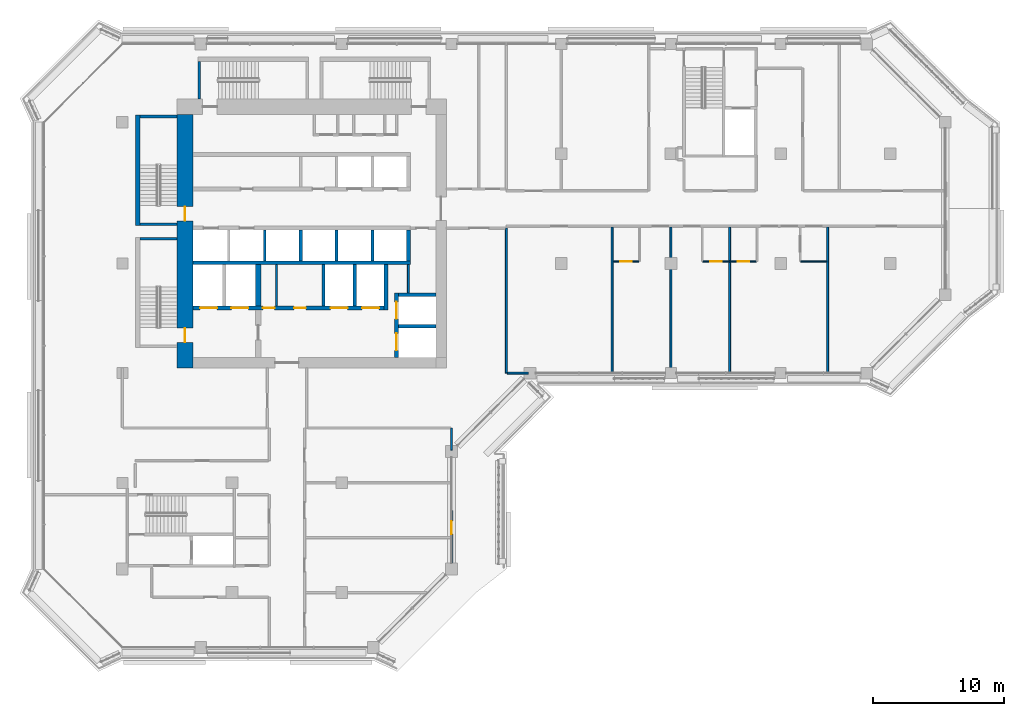
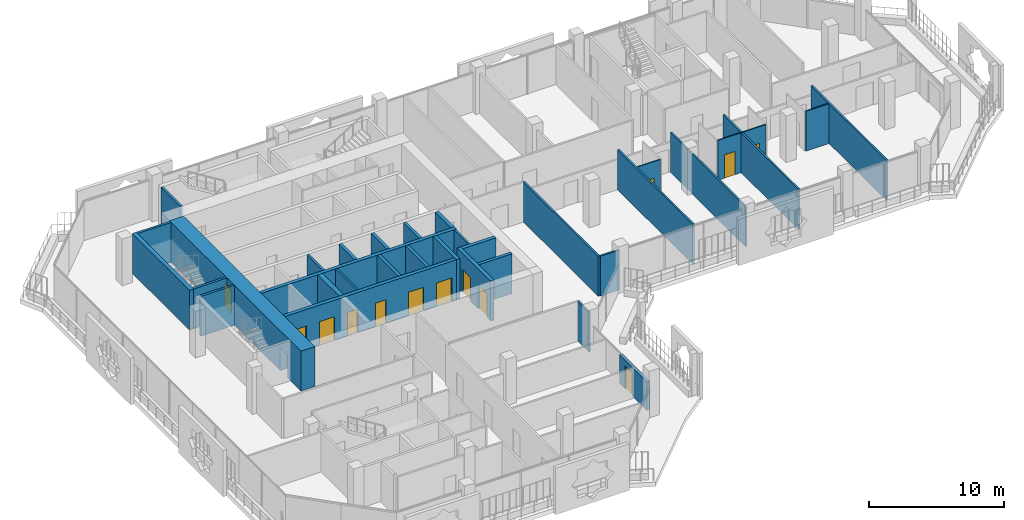
# One storey, part 11 of 22: 33 walls, 14 doors, 14 openings.
"""IFC4 building model written with IfcOpenShell, lengths in metres."""

from ifc_helpers import new_model, si_unit, direction, frame, frame_2d, origin, place, context, subcontext, project, spatial, rectangle, extrude, material, layer, layer_set, type_object, element, fill, save


model = new_model("IFC4")

# Units and contexts
model_context = context("Model", 3, precision=1e-05, world=origin(), true_north=direction((0.0, 1.0)))
body_context = subcontext(model_context, "Body", "Model", "MODEL_VIEW")
ifc_project = project(units=[si_unit("LENGTHUNIT", "METRE"), si_unit("AREAUNIT", "SQUARE_METRE"), si_unit("VOLUMEUNIT", "CUBIC_METRE"), si_unit("PLANEANGLEUNIT", "RADIAN"), si_unit("MASSUNIT", "GRAM", prefix="KILO")], contexts=[model_context])

# Site, building, storey
site_placement = place(None, origin())
site = spatial("IfcSite", under=ifc_project, at=site_placement, CompositionType="ELEMENT")
building_placement = place(site_placement, origin())
building = spatial("IfcBuilding", under=site, at=building_placement, Name="Kawkab Arch Medical Tower", CompositionType="ELEMENT")
storey_placement = place(building_placement, frame((0.0, 0.0, 255.800048828125)))
storey = spatial("IfcBuildingStorey", under=building, at=storey_placement, Name="L59", CompositionType="ELEMENT", Elevation=255.800048828125)

# Wall, openings, doors
ifc_material_1 = material(Name="Concrete C50/60", Category="concrete")
ifc_layer_1 = layer(ifc_material_1, 1.199951171875)
ifc_layer_set_1 = layer_set([ifc_layer_1], Name="Concrete C50/60")
wall_type_1 = type_object("IfcWallType", Name="Core ring wall 1200 C50/60", PredefinedType="SHEAR", material=ifc_layer_set_1)
wall_1_placement = place(storey_placement, frame((4.800048828125, -24.800048828125, 0.0), z_axis=(0.0, 0.0, 1.0), x_axis=(0.0, 1.0, 0.0)))
wall_1 = element("IfcWall", 1, at=wall_1_placement, inside=storey, type_object=wall_type_1, Name="L59 core wall", PredefinedType="SHEAR", context=body_context, shape_type="SweptSolid", body=[
    extrude(rectangle(XDim=19.400146484375, YDim=1.199951171875, at=frame_2d((9.7001953125, 0.0))), origin(), (0.0, 0.0, 1.0), 3.599853515625),
])
opening_1_placement = place(wall_1_placement, frame((11.25, 0.0, 0.0)))
opening_1 = element("IfcOpeningElement", 2, at=opening_1_placement, cuts=wall_1, Name="Opening SD", PredefinedType="OPENING", context=body_context, shape_type="SweptSolid", body=[
    extrude(rectangle(XDim=1.10009765625, YDim=2.10009765625, at=frame_2d((0.550048828125, 1.050048828125))), frame((0.0, 0.60986328125, 0.0), z_axis=(0.0, -1.0, 0.0), x_axis=(1.0, 0.0, 0.0)), (0.0, 0.0, 1.0), 1.219970703125),
])
opening_2_placement = place(wall_1_placement, frame((1.949951171875, 0.0, 0.0)))
opening_2 = element("IfcOpeningElement", 3, at=opening_2_placement, cuts=wall_1, Name="Opening SD", PredefinedType="OPENING", context=body_context, shape_type="SweptSolid", body=[
    extrude(rectangle(XDim=1.10009765625, YDim=2.10009765625, at=frame_2d((0.550048828125, 1.050048828125))), frame((0.0, 0.60986328125, 0.0), z_axis=(0.0, -1.0, 0.0), x_axis=(1.0, 0.0, 0.0)), (0.0, 0.0, 1.0), 1.219970703125),
])
ifc_material_2 = material(Name="Hollow metal fire door leaf")
door_type_1 = type_object("IfcDoorType", Name="Exit stair door 1100", OperationType="SINGLE_SWING_LEFT", PredefinedType="DOOR", material=ifc_material_2)
door_1_placement = place(opening_1_placement, origin())
door_1 = element("IfcDoor", 4, at=door_1_placement, inside=storey, type_object=door_type_1, Name="L59 Exit stair ST1 door", OperationType="SINGLE_SWING_LEFT", OverallHeight=2.10009765625, OverallWidth=1.10009765625, PredefinedType="DOOR", context=body_context, shape_type="SweptSolid", body=[
    extrude(rectangle(XDim=1.10009765625, YDim=2.10009765625, at=frame_2d((0.550048828125, 1.050048828125))), frame((0.0, 0.02490234375, 0.0), z_axis=(0.0, -1.0, 0.0), x_axis=(1.0, 0.0, 0.0)), (0.0, 0.0, 1.0), 0.050048828125),
])
fill(opening_1, door_1)
door_2_placement = place(opening_2_placement, origin())
door_2 = element("IfcDoor", 5, at=door_2_placement, inside=storey, type_object=door_type_1, Name="L59 Exit stair ST2 door", OperationType="SINGLE_SWING_LEFT", OverallHeight=2.10009765625, OverallWidth=1.10009765625, PredefinedType="DOOR", context=body_context, shape_type="SweptSolid", body=[
    extrude(rectangle(XDim=1.10009765625, YDim=2.10009765625, at=frame_2d((0.550048828125, 1.050048828125))), frame((0.0, 0.02490234375, 0.0), z_axis=(0.0, -1.0, 0.0), x_axis=(1.0, 0.0, 0.0)), (0.0, 0.0, 1.0), 0.050048828125),
])
fill(opening_2, door_2)

# Walls
ifc_material_3 = material(Name="Gypsum board on steel studs", Category="steel")
ifc_layer_2 = layer(ifc_material_3, 0.14990234375)
ifc_layer_set_2 = layer_set([ifc_layer_2], Name="Gypsum board on steel studs")
wall_type_2 = type_object("IfcWallType", Name="Core room partition 150", PredefinedType="PARTITIONING", material=ifc_layer_set_2)
wall_2_placement = place(storey_placement, frame((21.89990234375, -19.050048828125, 0.0), z_axis=(0.0, 0.0, 1.0), x_axis=(0.0, 1.0, 0.0)))
element("IfcWall", 6, at=wall_2_placement, inside=storey, type_object=wall_type_2, Name="L59 core room partition", PredefinedType="PARTITIONING", context=body_context, shape_type="SweptSolid", body=[
    extrude(rectangle(XDim=2.150146484375, YDim=0.14990234375, at=frame_2d((1.0751953125, 0.0))), origin(), (0.0, 0.0, 1.0), 3.599853515625),
])
wall_3_placement = place(storey_placement, frame((11.800048828125, -20.050048828125, 0.0), z_axis=(0.0, 0.0, 1.0), x_axis=(0.0, 1.0, 0.0)))
element("IfcWall", 7, at=wall_3_placement, inside=storey, type_object=wall_type_2, Name="L59 core room partition", PredefinedType="PARTITIONING", context=body_context, shape_type="SweptSolid", body=[
    extrude(rectangle(XDim=3.150146484375, YDim=0.14990234375, at=frame_2d((1.5751953125, 0.0))), origin(), (0.0, 0.0, 1.0), 3.599853515625),
])
ifc_material_4 = material(Name="Concrete C60/75", Category="concrete")
ifc_layer_3 = layer(ifc_material_4, 0.25)
ifc_layer_set_3 = layer_set([ifc_layer_3], Name="Concrete C60/75")
wall_type_3 = type_object("IfcWallType", Name="Core shear wall 250 C60/75", PredefinedType="SHEAR", material=ifc_layer_set_3)
wall_4_placement = place(storey_placement, frame((21.14990234375, -21.60009765625, 0.0), z_axis=(0.0, 0.0, 1.0), x_axis=(1.0, 0.0, 0.0)))
element("IfcWall", 8, at=wall_4_placement, inside=storey, type_object=wall_type_3, Name="L59 core shear wall", PredefinedType="SHEAR", context=body_context, shape_type="SweptSolid", body=[
    extrude(rectangle(XDim=2.85009765625, YDim=0.25, at=frame_2d((1.425048828125, 0.0))), origin(), (0.0, 0.0, 1.0), 3.599853515625),
])
for number, where, z_axis, x_axis, name in (
    (9, (15.39990234375, -20.050048828125, 0.0), (0.0, 0.0, 1.0), (0.0, 1.0, 0.0), "L59 core shear wall"),
    (10, (17.800048828125, -20.050048828125, 0.0), (0.0, 0.0, 1.0), (0.0, 1.0, 0.0), "L59 core shear wall"),
):
    element("IfcWall", number, at=place(storey_placement, frame(where, z_axis=z_axis, x_axis=x_axis)), inside=storey, type_object=wall_type_3, Name=name, PredefinedType="SHEAR", context=body_context, shape_type="SweptSolid", body=[
        extrude(rectangle(XDim=3.150146484375, YDim=0.25, at=frame_2d((1.5751953125, 0.0))), origin(), (0.0, 0.0, 1.0), 3.599853515625),
    ])
for number, where, z_axis, x_axis, name in (
    (11, (13.64990234375, -16.60009765625, 0.0), (0.0, 0.0, 1.0), (0.0, 1.0, 0.0), "L59 core shear wall"),
    (12, (16.39990234375, -16.60009765625, 0.0), (0.0, 0.0, 1.0), (0.0, 1.0, 0.0), "L59 core shear wall"),
    (13, (19.14990234375, -16.60009765625, 0.0), (0.0, 0.0, 1.0), (0.0, 1.0, 0.0), "L59 core shear wall"),
):
    element("IfcWall", number, at=place(storey_placement, frame(where, z_axis=z_axis, x_axis=x_axis)), inside=storey, type_object=wall_type_3, Name=name, PredefinedType="SHEAR", context=body_context, shape_type="SweptSolid", body=[
        extrude(rectangle(XDim=2.35009765625, YDim=0.25, at=frame_2d((1.175048828125, 0.0))), origin(), (0.0, 0.0, 1.0), 3.599853515625),
    ])
ifc_material_5 = material(Name="Concrete C60/75", Category="concrete")
ifc_layer_4 = layer(ifc_material_5, 0.300048828125)
ifc_layer_set_4 = layer_set([ifc_layer_4], Name="Concrete C60/75")
wall_type_4 = type_object("IfcWallType", Name="Core shear wall 300 C60/75", PredefinedType="SHEAR", material=ifc_layer_set_4)
wall_5_placement = place(storey_placement, frame((5.39990234375, -16.75, 0.0), z_axis=(0.0, 0.0, 1.0), x_axis=(1.0, 0.0, 0.0)))
element("IfcWall", 14, at=wall_5_placement, inside=storey, type_object=wall_type_4, Name="L59 core shear wall", PredefinedType="SHEAR", context=body_context, shape_type="SweptSolid", body=[
    extrude(rectangle(XDim=16.650146484375, YDim=0.300048828125, at=frame_2d((8.3251953125, 0.0))), origin(), (0.0, 0.0, 1.0), 3.599853515625),
])

# Wall, openings, doors
wall_6_placement = place(storey_placement, frame((5.39990234375, -20.199951171875, 0.0), z_axis=(0.0, 0.0, 1.0), x_axis=(1.0, 0.0, 0.0)))
wall_6 = element("IfcWall", 15, at=wall_6_placement, inside=storey, type_object=wall_type_4, Name="L59 core shear wall", PredefinedType="SHEAR", context=body_context, shape_type="SweptSolid", body=[
    extrude(rectangle(XDim=14.650146484375, YDim=0.300048828125, at=frame_2d((7.3251953125, 0.0))), origin(), (0.0, 0.0, 1.0), 3.599853515625),
])
opening_3_placement = place(wall_6_placement, frame((10.550048828125, 0.0, 0.0)))
opening_3 = element("IfcOpeningElement", 16, at=opening_3_placement, cuts=wall_6, Name="Opening LD2", PredefinedType="OPENING", context=body_context, shape_type="SweptSolid", body=[
    extrude(rectangle(XDim=1.300048828125, YDim=2.10009765625, at=frame_2d((0.64990234375, 1.050048828125))), frame((0.0, 0.159912109375, 0.0), z_axis=(0.0, -1.0, 0.0), x_axis=(1.0, 0.0, 0.0)), (0.0, 0.0, 1.0), 0.320068359375),
])
opening_4_placement = place(wall_6_placement, frame((12.949951171875, 0.0, 0.0)))
opening_4 = element("IfcOpeningElement", 17, at=opening_4_placement, cuts=wall_6, Name="Opening LD2", PredefinedType="OPENING", context=body_context, shape_type="SweptSolid", body=[
    extrude(rectangle(XDim=1.300048828125, YDim=2.10009765625, at=frame_2d((0.64990234375, 1.050048828125))), frame((0.0, 0.159912109375, 0.0), z_axis=(0.0, -1.0, 0.0), x_axis=(1.0, 0.0, 0.0)), (0.0, 0.0, 1.0), 0.320068359375),
])
opening_5_placement = place(wall_6_placement, frame((0.550048828125, 0.0, 0.0)))
opening_5 = element("IfcOpeningElement", 18, at=opening_5_placement, cuts=wall_6, Name="Opening LD2", PredefinedType="OPENING", context=body_context, shape_type="SweptSolid", body=[
    extrude(rectangle(XDim=1.300048828125, YDim=2.10009765625, at=frame_2d((0.64990234375, 1.050048828125))), frame((0.0, 0.159912109375, 0.0), z_axis=(0.0, -1.0, 0.0), x_axis=(1.0, 0.0, 0.0)), (0.0, 0.0, 1.0), 0.320068359375),
])
opening_6_placement = place(wall_6_placement, frame((2.949951171875, 0.0, 0.0)))
opening_6 = element("IfcOpeningElement", 19, at=opening_6_placement, cuts=wall_6, Name="Opening LD2", PredefinedType="OPENING", context=body_context, shape_type="SweptSolid", body=[
    extrude(rectangle(XDim=1.300048828125, YDim=2.10009765625, at=frame_2d((0.64990234375, 1.050048828125))), frame((0.0, 0.159912109375, 0.0), z_axis=(0.0, -1.0, 0.0), x_axis=(1.0, 0.0, 0.0)), (0.0, 0.0, 1.0), 0.320068359375),
])
opening_7_placement = place(wall_6_placement, frame((5.35009765625, 0.0, 0.0)))
opening_7 = element("IfcOpeningElement", 20, at=opening_7_placement, cuts=wall_6, Name="Opening RD", PredefinedType="OPENING", context=body_context, shape_type="SweptSolid", body=[
    extrude(rectangle(XDim=0.89990234375, YDim=2.10009765625, at=frame_2d((0.449951171875, 1.050048828125))), frame((0.0, 0.159912109375, 0.0), z_axis=(0.0, -1.0, 0.0), x_axis=(1.0, 0.0, 0.0)), (0.0, 0.0, 1.0), 0.320068359375),
])
opening_8_placement = place(wall_6_placement, frame((7.75, 0.0, 0.0)))
opening_8 = element("IfcOpeningElement", 21, at=opening_8_placement, cuts=wall_6, Name="Opening RD", PredefinedType="OPENING", context=body_context, shape_type="SweptSolid", body=[
    extrude(rectangle(XDim=0.89990234375, YDim=2.10009765625, at=frame_2d((0.449951171875, 1.050048828125))), frame((0.0, 0.159912109375, 0.0), z_axis=(0.0, -1.0, 0.0), x_axis=(1.0, 0.0, 0.0)), (0.0, 0.0, 1.0), 0.320068359375),
])
ifc_material_6 = material(Name="Hollow metal fire door leaf")
door_type_2 = type_object("IfcDoorType", Name="Core room door 900", OperationType="SINGLE_SWING_LEFT", PredefinedType="DOOR", material=ifc_material_6)
door_3_placement = place(opening_7_placement, origin())
door_3 = element("IfcDoor", 22, at=door_3_placement, inside=storey, type_object=door_type_2, Name="L59 Linen store door", OperationType="SINGLE_SWING_LEFT", OverallHeight=2.10009765625, OverallWidth=0.89990234375, PredefinedType="DOOR", context=body_context, shape_type="SweptSolid", body=[
    extrude(rectangle(XDim=0.89990234375, YDim=2.10009765625, at=frame_2d((0.449951171875, 1.050048828125))), frame((0.0, 0.02490234375, 0.0), z_axis=(0.0, -1.0, 0.0), x_axis=(1.0, 0.0, 0.0)), (0.0, 0.0, 1.0), 0.050048828125),
])
fill(opening_7, door_3)
door_4_placement = place(opening_8_placement, origin())
door_4 = element("IfcDoor", 23, at=door_4_placement, inside=storey, type_object=door_type_2, Name="L59 Dirty utility room door", OperationType="SINGLE_SWING_LEFT", OverallHeight=2.10009765625, OverallWidth=0.89990234375, PredefinedType="DOOR", context=body_context, shape_type="SweptSolid", body=[
    extrude(rectangle(XDim=0.89990234375, YDim=2.10009765625, at=frame_2d((0.449951171875, 1.050048828125))), frame((0.0, 0.02490234375, 0.0), z_axis=(0.0, -1.0, 0.0), x_axis=(1.0, 0.0, 0.0)), (0.0, 0.0, 1.0), 0.050048828125),
])
fill(opening_8, door_4)
ifc_material_7 = material(Name="Stainless steel lift door leaf", Category="steel")
door_type_3 = type_object("IfcDoorType", Name="Lift landing door 1300", OperationType="DOUBLE_DOOR_SLIDING", PredefinedType="DOOR", material=ifc_material_7)
door_5_placement = place(opening_3_placement, origin())
door_5 = element("IfcDoor", 24, at=door_5_placement, inside=storey, type_object=door_type_3, Name="L59 Lift landing door BD3", OperationType="DOUBLE_DOOR_SLIDING", OverallHeight=2.10009765625, OverallWidth=1.300048828125, PredefinedType="DOOR", context=body_context, shape_type="SweptSolid", body=[
    extrude(rectangle(XDim=1.300048828125, YDim=2.10009765625, at=frame_2d((0.64990234375, 1.050048828125))), frame((0.0, 0.02490234375, 0.0), z_axis=(0.0, -1.0, 0.0), x_axis=(1.0, 0.0, 0.0)), (0.0, 0.0, 1.0), 0.050048828125),
])
fill(opening_3, door_5)
door_6_placement = place(opening_4_placement, origin())
door_6 = element("IfcDoor", 25, at=door_6_placement, inside=storey, type_object=door_type_3, Name="L59 Lift landing door BD4", OperationType="DOUBLE_DOOR_SLIDING", OverallHeight=2.10009765625, OverallWidth=1.300048828125, PredefinedType="DOOR", context=body_context, shape_type="SweptSolid", body=[
    extrude(rectangle(XDim=1.300048828125, YDim=2.10009765625, at=frame_2d((0.64990234375, 1.050048828125))), frame((0.0, 0.02490234375, 0.0), z_axis=(0.0, -1.0, 0.0), x_axis=(1.0, 0.0, 0.0)), (0.0, 0.0, 1.0), 0.050048828125),
])
fill(opening_4, door_6)
door_7_placement = place(opening_5_placement, origin())
door_7 = element("IfcDoor", 26, at=door_7_placement, inside=storey, type_object=door_type_3, Name="L59 Lift landing door FL1", OperationType="DOUBLE_DOOR_SLIDING", OverallHeight=2.10009765625, OverallWidth=1.300048828125, PredefinedType="DOOR", context=body_context, shape_type="SweptSolid", body=[
    extrude(rectangle(XDim=1.300048828125, YDim=2.10009765625, at=frame_2d((0.64990234375, 1.050048828125))), frame((0.0, 0.02490234375, 0.0), z_axis=(0.0, -1.0, 0.0), x_axis=(1.0, 0.0, 0.0)), (0.0, 0.0, 1.0), 0.050048828125),
])
fill(opening_5, door_7)
door_8_placement = place(opening_6_placement, origin())
door_8 = element("IfcDoor", 27, at=door_8_placement, inside=storey, type_object=door_type_3, Name="L59 Lift landing door FL2", OperationType="DOUBLE_DOOR_SLIDING", OverallHeight=2.10009765625, OverallWidth=1.300048828125, PredefinedType="DOOR", context=body_context, shape_type="SweptSolid", body=[
    extrude(rectangle(XDim=1.300048828125, YDim=2.10009765625, at=frame_2d((0.64990234375, 1.050048828125))), frame((0.0, 0.02490234375, 0.0), z_axis=(0.0, -1.0, 0.0), x_axis=(1.0, 0.0, 0.0)), (0.0, 0.0, 1.0), 0.050048828125),
])
fill(opening_6, door_8)

# Walls
wall_7_placement = place(storey_placement, frame((20.199951171875, -20.35009765625, 0.0), z_axis=(0.0, 0.0, 1.0), x_axis=(0.0, 1.0, 0.0)))
element("IfcWall", 28, at=wall_7_placement, inside=storey, type_object=wall_type_4, Name="L59 core shear wall", PredefinedType="SHEAR", context=body_context, shape_type="SweptSolid", body=[
    extrude(rectangle(XDim=3.4501953125, YDim=0.300048828125, at=frame_2d((1.72509765625, 0.0))), origin(), (0.0, 0.0, 1.0), 3.599853515625),
])
wall_8_placement = place(storey_placement, frame((21.89990234375, -16.60009765625, 0.0), z_axis=(0.0, 0.0, 1.0), x_axis=(0.0, 1.0, 0.0)))
element("IfcWall", 29, at=wall_8_placement, inside=storey, type_object=wall_type_4, Name="L59 core shear wall", PredefinedType="SHEAR", context=body_context, shape_type="SweptSolid", body=[
    extrude(rectangle(XDim=2.35009765625, YDim=0.300048828125, at=frame_2d((1.175048828125, 0.0))), origin(), (0.0, 0.0, 1.0), 3.599853515625),
])
wall_9_placement = place(storey_placement, frame((21.14990234375, -19.199951171875, 0.0), z_axis=(0.0, 0.0, 1.0), x_axis=(1.0, 0.0, 0.0)))
element("IfcWall", 30, at=wall_9_placement, inside=storey, type_object=wall_type_4, Name="L59 core shear wall", PredefinedType="SHEAR", context=body_context, shape_type="SweptSolid", body=[
    extrude(rectangle(XDim=2.85009765625, YDim=0.300048828125, at=frame_2d((1.425048828125, 0.0))), origin(), (0.0, 0.0, 1.0), 3.599853515625),
])

# Wall, openings, doors
wall_10_placement = place(storey_placement, frame((21.0, -24.0, 0.0), z_axis=(0.0, 0.0, 1.0), x_axis=(0.0, 1.0, 0.0)))
wall_10 = element("IfcWall", 31, at=wall_10_placement, inside=storey, type_object=wall_type_4, Name="L59 core shear wall", PredefinedType="SHEAR", context=body_context, shape_type="SweptSolid", body=[
    extrude(rectangle(XDim=4.949951171875, YDim=0.300048828125, at=frame_2d((2.47509765625, 0.0))), origin(), (0.0, 0.0, 1.0), 3.599853515625),
])
opening_9_placement = place(wall_10_placement, frame((2.949951171875, 0.0, 0.0)))
opening_9 = element("IfcOpeningElement", 32, at=opening_9_placement, cuts=wall_10, Name="Opening LD2", PredefinedType="OPENING", context=body_context, shape_type="SweptSolid", body=[
    extrude(rectangle(XDim=1.300048828125, YDim=2.10009765625, at=frame_2d((0.64990234375, 1.050048828125))), frame((0.0, 0.159912109375, 0.0), z_axis=(0.0, -1.0, 0.0), x_axis=(1.0, 0.0, 0.0)), (0.0, 0.0, 1.0), 0.320068359375),
])
opening_10_placement = place(wall_10_placement, frame((0.550048828125, 0.0, 0.0)))
opening_10 = element("IfcOpeningElement", 33, at=opening_10_placement, cuts=wall_10, Name="Opening LD2", PredefinedType="OPENING", context=body_context, shape_type="SweptSolid", body=[
    extrude(rectangle(XDim=1.300048828125, YDim=2.10009765625, at=frame_2d((0.64990234375, 1.050048828125))), frame((0.0, 0.159912109375, 0.0), z_axis=(0.0, -1.0, 0.0), x_axis=(1.0, 0.0, 0.0)), (0.0, 0.0, 1.0), 0.320068359375),
])
door_9_placement = place(opening_9_placement, origin())
door_9 = element("IfcDoor", 34, at=door_9_placement, inside=storey, type_object=door_type_3, Name="L59 Lift landing door BD1", OperationType="DOUBLE_DOOR_SLIDING", OverallHeight=2.10009765625, OverallWidth=1.300048828125, PredefinedType="DOOR", context=body_context, shape_type="SweptSolid", body=[
    extrude(rectangle(XDim=1.300048828125, YDim=2.10009765625, at=frame_2d((0.64990234375, 1.050048828125))), frame((0.0, 0.02490234375, 0.0), z_axis=(0.0, -1.0, 0.0), x_axis=(1.0, 0.0, 0.0)), (0.0, 0.0, 1.0), 0.050048828125),
])
fill(opening_9, door_9)
door_10_placement = place(opening_10_placement, origin())
door_10 = element("IfcDoor", 35, at=door_10_placement, inside=storey, type_object=door_type_3, Name="L59 Lift landing door BD2", OperationType="DOUBLE_DOOR_SLIDING", OverallHeight=2.10009765625, OverallWidth=1.300048828125, PredefinedType="DOOR", context=body_context, shape_type="SweptSolid", body=[
    extrude(rectangle(XDim=1.300048828125, YDim=2.10009765625, at=frame_2d((0.64990234375, 1.050048828125))), frame((0.0, 0.02490234375, 0.0), z_axis=(0.0, -1.0, 0.0), x_axis=(1.0, 0.0, 0.0)), (0.0, 0.0, 1.0), 0.050048828125),
])
fill(opening_10, door_10)

# Wall
ifc_material_8 = material(Name="Concrete C60/75", Category="concrete")
ifc_layer_5 = layer(ifc_material_8, 0.39990234375)
ifc_layer_set_5 = layer_set([ifc_layer_5], Name="Concrete C60/75")
wall_type_5 = type_object("IfcWallType", Name="Core shear wall 400 C60/75", PredefinedType="SHEAR", material=ifc_layer_set_5)
wall_11_placement = place(storey_placement, frame((10.39990234375, -20.050048828125, 0.0), z_axis=(0.0, 0.0, 1.0), x_axis=(0.0, 1.0, 0.0)))
element("IfcWall", 36, at=wall_11_placement, inside=storey, type_object=wall_type_5, Name="L59 core shear wall", PredefinedType="SHEAR", context=body_context, shape_type="SweptSolid", body=[
    extrude(rectangle(XDim=3.150146484375, YDim=0.39990234375, at=frame_2d((1.5751953125, 0.0))), origin(), (0.0, 0.0, 1.0), 3.599853515625),
])

# Wall, opening, door
ifc_material_9 = material(Name="Bronze clad insulated wall panel")
ifc_layer_6 = layer(ifc_material_9, 0.25)
ifc_layer_set_6 = layer_set([ifc_layer_6], Name="Bronze clad insulated wall panel")
wall_type_6 = type_object("IfcWallType", Name="External wall bay 250", PredefinedType="SOLIDWALL", material=ifc_layer_set_6)
wall_12_placement = place(storey_placement, frame((25.199951171875, -39.75, 0.0), z_axis=(0.0, 0.0, 1.0), x_axis=(0.0, 1.0, 0.0)))
wall_12 = element("IfcWall", 37, at=wall_12_placement, inside=storey, type_object=wall_type_6, Name="External wall bay L59.R05.1.1", PredefinedType="SOLIDWALL", context=body_context, shape_type="SweptSolid", body=[
    extrude(rectangle(XDim=4.050048828125, YDim=0.25, at=frame_2d((2.02490234375, 0.0))), origin(), (0.0, 0.0, 1.0), 2.579833984375),
])
opening_11_placement = place(wall_12_placement, frame((2.22509765625, 0.0, 0.0)))
opening_11 = element("IfcOpeningElement", 38, at=opening_11_placement, cuts=wall_12, Name="Opening W54-701", PredefinedType="OPENING", context=body_context, shape_type="SweptSolid", body=[
    extrude(rectangle(XDim=1.0, YDim=2.10009765625, at=frame_2d((0.5, 1.050048828125))), frame((0.0, 0.135009765625, 0.0), z_axis=(0.0, -1.0, 0.0), x_axis=(1.0, 0.0, 0.0)), (0.0, 0.0, 1.0), 0.27001953125),
])
ifc_material_10 = material(Name="Bronze anodised aluminium door with tinted glass", Category="aluminium")
door_type_4 = type_object("IfcDoorType", Name="Single external door 1000 x 2100", OperationType="SINGLE_SWING_LEFT", PredefinedType="DOOR", material=ifc_material_10)
door_11_placement = place(opening_11_placement, origin())
door_11 = element("IfcDoor", 39, at=door_11_placement, inside=storey, type_object=door_type_4, Name="External door L59.R05.1.1", OperationType="SINGLE_SWING_LEFT", OverallHeight=2.10009765625, OverallWidth=1.0, PredefinedType="DOOR", context=body_context, shape_type="SweptSolid", body=[
    extrude(rectangle(XDim=1.0, YDim=2.10009765625, at=frame_2d((0.5, 1.050048828125))), frame((0.0, 0.02490234375, 0.0), z_axis=(0.0, -1.0, 0.0), x_axis=(1.0, 0.0, 0.0)), (0.0, 0.0, 1.0), 0.050048828125),
])
fill(opening_11, door_11)

# Wall
ifc_material_11 = material(Name="Dense concrete blockwork", Category="masonry")
ifc_layer_7 = layer(ifc_material_11, 0.199951171875)
ifc_layer_set_7 = layer_set([ifc_layer_7], Name="Dense concrete blockwork")
wall_type_7 = type_object("IfcWallType", Name="Lift shaft partition 200", PredefinedType="PARTITIONING", material=ifc_layer_set_7)
wall_13_placement = place(storey_placement, frame((10.89990234375, -16.60009765625, 0.0), z_axis=(0.0, 0.0, 1.0), x_axis=(0.0, 1.0, 0.0)))
element("IfcWall", 40, at=wall_13_placement, inside=storey, type_object=wall_type_7, Name="L59 lift shaft partition", PredefinedType="PARTITIONING", context=body_context, shape_type="SweptSolid", body=[
    extrude(rectangle(XDim=2.35009765625, YDim=0.199951171875, at=frame_2d((1.175048828125, 0.0))), origin(), (0.0, 0.0, 1.0), 3.599853515625),
])

# Wall, opening, door
ifc_material_12 = material(Name="Gypsum board partition on steel studs", Category="steel")
ifc_layer_8 = layer(ifc_material_12, 0.10009765625)
ifc_layer_set_8 = layer_set([ifc_layer_8], Name="Gypsum board partition on steel studs")
wall_type_8 = type_object("IfcWallType", Name="Partition 100", PredefinedType="PARTITIONING", material=ifc_layer_set_8)
wall_14_placement = place(storey_placement, frame((37.574951171875, -16.64990234375, 0.0), z_axis=(0.0, 0.0, 1.0), x_axis=(1.0, 0.0, 0.0)))
wall_14 = element("IfcWall", 41, at=wall_14_placement, inside=storey, type_object=wall_type_8, Name="Partition 100 w001", PredefinedType="PARTITIONING", context=body_context, shape_type="SweptSolid", body=[
    extrude(rectangle(XDim=1.97509765625, YDim=0.10009765625, at=frame_2d((0.987548828125, 0.0))), origin(), (0.0, 0.0, 1.0), 3.599853515625),
])
opening_12_placement = place(wall_14_placement, frame((0.52490234375, 0.0, 0.0)))
opening_12 = element("IfcOpeningElement", 42, at=opening_12_placement, cuts=wall_14, Name="Opening W54-004", PredefinedType="OPENING", context=body_context, shape_type="SweptSolid", body=[
    extrude(rectangle(XDim=0.89990234375, YDim=2.10009765625, at=frame_2d((0.449951171875, 1.050048828125))), frame((0.0, 0.06005859375, 0.0), z_axis=(0.0, -1.0, 0.0), x_axis=(1.0, 0.0, 0.0)), (0.0, 0.0, 1.0), 0.1201171875),
])
ifc_material_13 = material(Name="Timber door leaf", Category="wood")
door_type_5 = type_object("IfcDoorType", Name="Single door 900x2100", OperationType="NOTDEFINED", PredefinedType="DOOR", material=ifc_material_13)
door_12_placement = place(opening_12_placement, origin())
door_12 = element("IfcDoor", 43, at=door_12_placement, inside=storey, type_object=door_type_5, Name="Door W54-004", OperationType="SINGLE_SWING_LEFT", OverallHeight=2.10009765625, OverallWidth=0.89990234375, PredefinedType="DOOR", context=body_context, shape_type="SweptSolid", body=[
    extrude(rectangle(XDim=0.89990234375, YDim=2.10009765625, at=frame_2d((0.449951171875, 1.050048828125))), frame((0.0, 0.02490234375, 0.0), z_axis=(0.0, -1.0, 0.0), x_axis=(1.0, 0.0, 0.0)), (0.0, 0.0, 1.0), 0.050048828125),
])
fill(opening_12, door_12)

# Wall, openings, doors
wall_15_placement = place(storey_placement, frame((44.449951171875, -16.64990234375, 0.0), z_axis=(0.0, 0.0, 1.0), x_axis=(1.0, 0.0, 0.0)))
wall_15 = element("IfcWall", 44, at=wall_15_placement, inside=storey, type_object=wall_type_8, Name="Partition 100 w002", PredefinedType="PARTITIONING", context=body_context, shape_type="SweptSolid", body=[
    extrude(rectangle(XDim=4.10009765625, YDim=0.10009765625, at=frame_2d((2.050048828125, 0.0))), origin(), (0.0, 0.0, 1.0), 3.599853515625),
])
opening_13_placement = place(wall_15_placement, frame((0.550048828125, 0.0, 0.0)))
opening_13 = element("IfcOpeningElement", 45, at=opening_13_placement, cuts=wall_15, Name="Opening W54-005", PredefinedType="OPENING", context=body_context, shape_type="SweptSolid", body=[
    extrude(rectangle(XDim=0.89990234375, YDim=2.10009765625, at=frame_2d((0.449951171875, 1.050048828125))), frame((0.0, 0.06005859375, 0.0), z_axis=(0.0, -1.0, 0.0), x_axis=(1.0, 0.0, 0.0)), (0.0, 0.0, 1.0), 0.1201171875),
])
opening_14_placement = place(wall_15_placement, frame((2.64990234375, 0.0, 0.0)))
opening_14 = element("IfcOpeningElement", 46, at=opening_14_placement, cuts=wall_15, Name="Opening W54-006", PredefinedType="OPENING", context=body_context, shape_type="SweptSolid", body=[
    extrude(rectangle(XDim=0.89990234375, YDim=2.10009765625, at=frame_2d((0.449951171875, 1.050048828125))), frame((0.0, 0.06005859375, 0.0), z_axis=(0.0, -1.0, 0.0), x_axis=(1.0, 0.0, 0.0)), (0.0, 0.0, 1.0), 0.1201171875),
])
door_13_placement = place(opening_13_placement, origin())
door_13 = element("IfcDoor", 47, at=door_13_placement, inside=storey, type_object=door_type_5, Name="Door W54-005", OperationType="SINGLE_SWING_RIGHT", OverallHeight=2.10009765625, OverallWidth=0.89990234375, PredefinedType="DOOR", context=body_context, shape_type="SweptSolid", body=[
    extrude(rectangle(XDim=0.89990234375, YDim=2.10009765625, at=frame_2d((0.449951171875, 1.050048828125))), frame((0.0, 0.02490234375, 0.0), z_axis=(0.0, -1.0, 0.0), x_axis=(1.0, 0.0, 0.0)), (0.0, 0.0, 1.0), 0.050048828125),
])
fill(opening_13, door_13)
door_14_placement = place(opening_14_placement, origin())
door_14 = element("IfcDoor", 48, at=door_14_placement, inside=storey, type_object=door_type_5, Name="Door W54-006", OperationType="SINGLE_SWING_LEFT", OverallHeight=2.10009765625, OverallWidth=0.89990234375, PredefinedType="DOOR", context=body_context, shape_type="SweptSolid", body=[
    extrude(rectangle(XDim=0.89990234375, YDim=2.10009765625, at=frame_2d((0.449951171875, 1.050048828125))), frame((0.0, 0.02490234375, 0.0), z_axis=(0.0, -1.0, 0.0), x_axis=(1.0, 0.0, 0.0)), (0.0, 0.0, 1.0), 0.050048828125),
])
fill(opening_14, door_14)

# Walls
wall_16_placement = place(storey_placement, frame((51.949951171875, -16.64990234375, 0.0), z_axis=(0.0, 0.0, 1.0), x_axis=(1.0, 0.0, 0.0)))
element("IfcWall", 49, at=wall_16_placement, inside=storey, type_object=wall_type_8, Name="Partition 100 w003", PredefinedType="PARTITIONING", context=body_context, shape_type="SweptSolid", body=[
    extrude(rectangle(XDim=1.97509765625, YDim=0.10009765625, at=frame_2d((0.987548828125, 0.0))), origin(), (0.0, 0.0, 1.0), 3.599853515625),
])
ifc_material_14 = material(Name="Gypsum board partition on steel studs, mineral wool", Category="steel")
ifc_layer_9 = layer(ifc_material_14, 0.14990234375)
ifc_layer_set_9 = layer_set([ifc_layer_9], Name="Gypsum board partition on steel studs, mineral wool")
wall_type_9 = type_object("IfcWallType", Name="Partition 150", PredefinedType="PARTITIONING", material=ifc_layer_set_9)
wall_17_placement = place(storey_placement, frame((29.47509765625, -25.199951171875, 0.0), z_axis=(0.0, 0.0, 1.0), x_axis=(1.0, 0.0, 0.0)))
element("IfcWall", 50, at=wall_17_placement, inside=storey, type_object=wall_type_9, Name="Partition 150 w019", PredefinedType="PARTITIONING", context=body_context, shape_type="SweptSolid", body=[
    extrude(rectangle(XDim=1.61181640625, YDim=0.14990234375, at=frame_2d((0.805908203125, 0.0))), origin(), (0.0, 0.0, 1.0), 3.599853515625),
])
wall_18_placement = place(storey_placement, frame((25.199951171875, -31.0869140625, 0.0), z_axis=(0.0, 0.0, 1.0), x_axis=(0.0, 1.0, 0.0)))
element("IfcWall", 51, at=wall_18_placement, inside=storey, type_object=wall_type_9, Name="Partition 150 w042", PredefinedType="PARTITIONING", context=body_context, shape_type="SweptSolid", body=[
    extrude(rectangle(XDim=1.68701171875, YDim=0.14990234375, at=frame_2d((0.843505859375, 0.0))), origin(), (0.0, 0.0, 1.0), 3.599853515625),
])
wall_19_placement = place(storey_placement, frame((29.39990234375, -25.199951171875, 0.0), z_axis=(0.0, 0.0, 1.0), x_axis=(0.0, 1.0, 0.0)))
element("IfcWall", 52, at=wall_19_placement, inside=storey, type_object=wall_type_9, Name="Partition 150 w044", PredefinedType="PARTITIONING", context=body_context, shape_type="SweptSolid", body=[
    extrude(rectangle(XDim=11.099853515625, YDim=0.14990234375, at=frame_2d((5.5498046875, 0.0))), origin(), (0.0, 0.0, 1.0), 3.599853515625),
])
for number, where, z_axis, x_axis, name in (
    (53, (37.5, -25.1201171875, 0.0), (0.0, 0.0, 1.0), (0.0, 1.0, 0.0), "Partition 150 w047"),
    (54, (42.0, -25.1201171875, 0.0), (0.0, 0.0, 1.0), (0.0, 1.0, 0.0), "Partition 150 w049"),
    (55, (46.5, -25.1201171875, 0.0), (0.0, 0.0, 1.0), (0.0, 1.0, 0.0), "Partition 150 w052"),
    (56, (54.0, -25.1201171875, 0.0), (0.0, 0.0, 1.0), (0.0, 1.0, 0.0), "Partition 150 w055"),
):
    element("IfcWall", number, at=place(storey_placement, frame(where, z_axis=z_axis, x_axis=x_axis)), inside=storey, type_object=wall_type_9, Name=name, PredefinedType="PARTITIONING", context=body_context, shape_type="SweptSolid", body=[
        extrude(rectangle(XDim=11.09521484375, YDim=0.14990234375, at=frame_2d((5.547607421875, 0.0))), origin(), (0.0, 0.0, 1.0), 3.599853515625),
    ])
ifc_material_15 = material(Name="Concrete C50/60", Category="concrete")
ifc_layer_10 = layer(ifc_material_15, 0.199951171875)
ifc_layer_set_10 = layer_set([ifc_layer_10], Name="Concrete C50/60")
wall_type_10 = type_object("IfcWallType", Name="Stair enclosure wall 200 C50/60", PredefinedType="SHEAR", material=ifc_layer_set_10)
for number, where, z_axis, x_axis, name in (
    (57, (1.35009765625, -5.550048828125, 0.0), (0.0, 0.0, 1.0), (1.0, 0.0, 0.0), "L59 stair enclosure wall"),
    (58, (1.35009765625, -13.800048828125, 0.0), (0.0, 0.0, 1.0), (1.0, 0.0, 0.0), "L59 stair enclosure wall"),
    (59, (1.35009765625, -14.89990234375, 0.0), (0.0, 0.0, 1.0), (1.0, 0.0, 0.0), "L59 stair enclosure wall"),
    (60, (5.89990234375, -4.199951171875, 0.0), (0.0, 0.0, 1.0), (0.0, 1.0, 0.0), "L59 stair enclosure wall"),
):
    element("IfcWall", number, at=place(storey_placement, frame(where, z_axis=z_axis, x_axis=x_axis)), inside=storey, type_object=wall_type_10, Name=name, PredefinedType="SHEAR", context=body_context, shape_type="SweptSolid", body=[
        extrude(rectangle(XDim=2.849853515625, YDim=0.199951171875, at=frame_2d((1.4248046875, 0.0))), origin(), (0.0, 0.0, 1.0), 3.599853515625),
    ])
ifc_material_16 = material(Name="Concrete C50/60", Category="concrete")
ifc_layer_11 = layer(ifc_material_16, 0.35009765625)
ifc_layer_set_11 = layer_set([ifc_layer_11], Name="Concrete C50/60")
wall_type_11 = type_object("IfcWallType", Name="Stair enclosure wall 350 C50/60", PredefinedType="SHEAR", material=ifc_layer_set_11)
wall_20_placement = place(storey_placement, frame((1.175048828125, -13.89990234375, 0.0), z_axis=(0.0, 0.0, 1.0), x_axis=(0.0, 1.0, 0.0)))
element("IfcWall", 61, at=wall_20_placement, inside=storey, type_object=wall_type_11, Name="L59 stair enclosure wall", PredefinedType="SHEAR", context=body_context, shape_type="SweptSolid", body=[
    extrude(rectangle(XDim=8.449951171875, YDim=0.35009765625, at=frame_2d((4.22509765625, 0.0))), origin(), (0.0, 0.0, 1.0), 3.599853515625),
])

save(model, "model.ifc")
